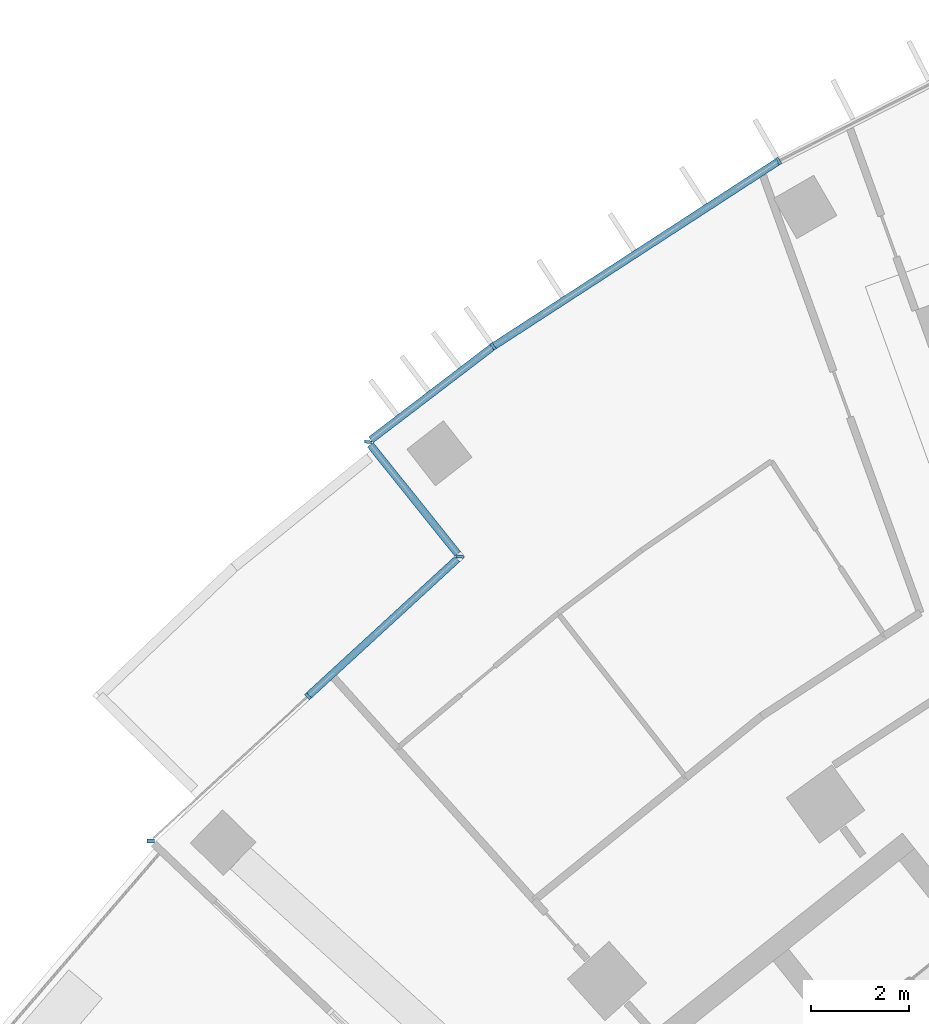
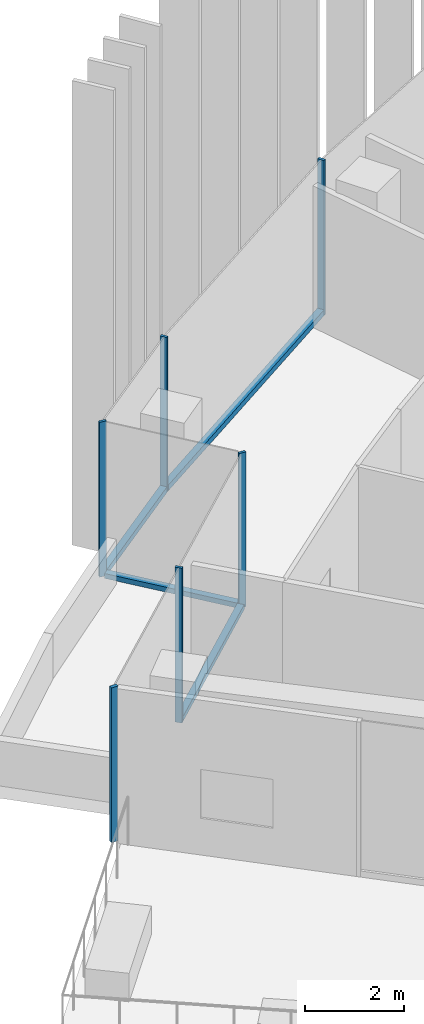
# One storey, part 3 of 20: 10 members, 4 elements without a shape of their own.
"""IFC4 building model written with IfcOpenShell, lengths in metres."""

from ifc_helpers import new_model, si_unit, direction, frame, origin, origin_2d, place, context, subcontext, project, spatial, rectangle, extrude, material, layer, layer_set, material_profile, profile_set, type_object, element, aggregate, save


model = new_model("IFC4")

# Units and contexts
model_context = context("Model", 3, precision=1e-05, world=origin(), true_north=direction((0.0, 1.0)))
body_context = subcontext(model_context, "Body", "Model", "MODEL_VIEW")
ifc_project = project(units=[si_unit("LENGTHUNIT", "METRE"), si_unit("AREAUNIT", "SQUARE_METRE"), si_unit("VOLUMEUNIT", "CUBIC_METRE"), si_unit("PLANEANGLEUNIT", "RADIAN"), si_unit("MASSUNIT", "GRAM", prefix="KILO")], contexts=[model_context])

# Site, building, storey
site_placement = place(None, origin())
site = spatial("IfcSite", under=ifc_project, at=site_placement, CompositionType="ELEMENT")
building_placement = place(site_placement, origin())
building = spatial("IfcBuilding", under=site, at=building_placement, Name="Stone Belt Terrace Tower", CompositionType="ELEMENT")
storey_placement = place(building_placement, frame((0.0, 0.0, 201.0)))
storey = spatial("IfcBuildingStorey", under=building, at=storey_placement, Name="L48", CompositionType="ELEMENT", Elevation=201.0)

# Curtain wall, members
ifc_material = material(Name="Aluminium 6063-T6 anodised frame", Category="aluminium")
ifc_layer_1 = layer(ifc_material, 0.14990234375)
ifc_layer_set_1 = layer_set([ifc_layer_1], Name="CW-A unitised convex-face curtain wall")
curtain_wall_type_1 = type_object("IfcCurtainWallType", Name="CW-A unitised convex-face curtain wall", PredefinedType="NOTDEFINED", material=ifc_layer_set_1)
curtain_wall_1_placement = place(storey_placement, origin())
curtain_wall_1 = element("IfcCurtainWall", 1, at=curtain_wall_1_placement, inside=storey, type_object=curtain_wall_type_1, Name="CW-A convex face L48", PredefinedType="NOTDEFINED")
ifc_material_profile_1 = material_profile(ifc_material, rectangle(XDim=0.14990234375, YDim=0.06005859375, at=origin_2d()), Name="Aluminium 6063-T6 60x150")
ifc_profile_set_1 = profile_set([ifc_material_profile_1], Name="Aluminium 6063-T6 anodised frame")
member_type_1 = type_object("IfcMemberType", Name="CW-A mullion 60 x 150", PredefinedType="MULLION", material=ifc_profile_set_1)
member_1_placement = place(storey_placement, frame((-33.28759765625, 57.65576171875, 0.0), z_axis=(0.0, 0.0, 1.0), x_axis=(0.5, -0.866025403784, 0.0)))
member_1 = element("IfcMember", 2, at=member_1_placement, type_object=member_type_1, Name="CW-A mullion 14", PredefinedType="MULLION", context=body_context, shape_type="SweptSolid", body=[
    extrude(rectangle(XDim=0.14990234375, YDim=0.06005859375, at=origin_2d()), origin(), (0.0, 0.0, 1.0), 3.800048828125),
])
member_2_placement = place(storey_placement, frame((-39.130859375, 53.861083984375, 0.0), z_axis=(0.0, 0.0, 1.0), x_axis=(0.576101937282, -0.81737785501, 0.0)))
member_2 = element("IfcMember", 3, at=member_2_placement, type_object=member_type_1, Name="CW-A mullion 15", PredefinedType="MULLION", context=body_context, shape_type="SweptSolid", body=[
    extrude(rectangle(XDim=0.14990234375, YDim=0.06005859375, at=origin_2d()), origin(), (0.0, 0.0, 1.0), 3.800048828125),
])
ifc_material_profile_2 = material_profile(ifc_material, rectangle(XDim=0.14990234375, YDim=0.139892578125, at=origin_2d()), Name="Aluminium 6063-T6 150x140")
ifc_profile_set_2 = profile_set([ifc_material_profile_2], Name="Aluminium 6063-T6 anodised frame")
member_type_2 = type_object("IfcMemberType", Name="CW-A transom 140 x 150", PredefinedType="USERDEFINED", material=ifc_profile_set_2)
member_3_placement = place(storey_placement, frame((-33.31591796875, 57.63720703125, 0.070068359375), z_axis=(-0.83868440714, -0.544617723931, 0.0), x_axis=(0.544617723931, -0.83868440714, 0.0)))
member_3 = element("IfcMember", 4, at=member_3_placement, type_object=member_type_2, Name="CW-A transom 14.1", ObjectType="TRANSOM", PredefinedType="USERDEFINED", context=body_context, shape_type="SweptSolid", body=[
    extrude(rectangle(XDim=0.14990234375, YDim=0.139892578125, at=origin_2d()), origin(), (0.0, 0.0, 1.0), 6.90087890625),
])
member_4_placement = place(storey_placement, frame((-39.156982421875, 53.841064453125, 0.070068359375), z_axis=(-0.794929356571, -0.606702001036, 0.0), x_axis=(0.606702001036, -0.794929356571, 0.0)))
member_4 = element("IfcMember", 5, at=member_4_placement, type_object=member_type_2, Name="CW-A transom 15.1", ObjectType="TRANSOM", PredefinedType="USERDEFINED", context=body_context, shape_type="SweptSolid", body=[
    extrude(rectangle(XDim=0.14990234375, YDim=0.139892578125, at=origin_2d()), origin(), (0.0, 0.0, 1.0), 3.1142578125),
])
aggregate(curtain_wall_1, [member_1, member_2, member_3, member_4])

# Curtain wall, member
ifc_layer_2 = layer(ifc_material, 0.14990234375)
ifc_layer_set_2 = layer_set([ifc_layer_2], Name="CW-C stick curtain wall, horn ends and notches")
curtain_wall_type_2 = type_object("IfcCurtainWallType", Name="CW-C stick curtain wall, horn ends and notches", PredefinedType="NOTDEFINED", material=ifc_layer_set_2)
curtain_wall_2_placement = place(storey_placement, origin())
curtain_wall_2 = element("IfcCurtainWall", 6, at=curtain_wall_2_placement, inside=storey, type_object=curtain_wall_type_2, Name="CW-C notch face L48", PredefinedType="NOTDEFINED")
ifc_material_profile_3 = material_profile(ifc_material, rectangle(XDim=0.14990234375, YDim=0.06005859375, at=origin_2d()), Name="Aluminium 6063-T6 60x150")
ifc_profile_set_3 = profile_set([ifc_material_profile_3], Name="Aluminium 6063-T6 anodised frame")
member_type_3 = type_object("IfcMemberType", Name="CW-C mullion 60 x 150", PredefinedType="MULLION", material=ifc_profile_set_3)
member_5_placement = place(storey_placement, frame((-41.69189453125, 51.90625, 0.0), z_axis=(0.0, 0.0, 1.0), x_axis=(0.992610915528, -0.121340720183, 0.0)))
member_5 = element("IfcMember", 7, at=member_5_placement, type_object=member_type_3, Name="CW-C mullion 1", PredefinedType="MULLION", context=body_context, shape_type="SweptSolid", body=[
    extrude(rectangle(XDim=0.14990234375, YDim=0.06005859375, at=origin_2d()), origin(), (0.0, 0.0, 1.0), 3.800048828125),
])

# Curtain wall, members
curtain_wall_3_placement = place(storey_placement, origin())
curtain_wall_3 = element("IfcCurtainWall", 8, at=curtain_wall_3_placement, inside=storey, type_object=curtain_wall_type_2, Name="CW-C notch face L48", PredefinedType="NOTDEFINED")
member_6_placement = place(storey_placement, frame((-39.8115234375, 49.56005859375, 0.0), z_axis=(0.0, 0.0, 1.0), x_axis=(0.99711393405, -0.07591971103, 0.0)))
member_6 = element("IfcMember", 9, at=member_6_placement, type_object=member_type_3, Name="CW-C mullion 1", PredefinedType="MULLION", context=body_context, shape_type="SweptSolid", body=[
    extrude(rectangle(XDim=0.14990234375, YDim=0.06005859375, at=origin_2d()), origin(), (0.0, 0.0, 1.0), 3.800048828125),
])
member_7_placement = place(storey_placement, frame((-42.92138671875, 46.701904296875, 0.0), z_axis=(0.0, 0.0, 1.0), x_axis=(0.676676945985, -0.736280049148, 0.0)))
member_7 = element("IfcMember", 10, at=member_7_placement, type_object=member_type_3, Name="CW-C mullion 2", PredefinedType="MULLION", context=body_context, shape_type="SweptSolid", body=[
    extrude(rectangle(XDim=0.14990234375, YDim=0.06005859375, at=origin_2d()), origin(), (0.0, 0.0, 1.0), 3.800048828125),
])

# Member
ifc_material_profile_4 = material_profile(ifc_material, rectangle(XDim=0.14990234375, YDim=0.1201171875, at=origin_2d()), Name="Aluminium 6063-T6 150x120")
ifc_profile_set_4 = profile_set([ifc_material_profile_4], Name="Aluminium 6063-T6 anodised frame")
member_type_4 = type_object("IfcMemberType", Name="CW-C transom 120 x 150", PredefinedType="USERDEFINED", material=ifc_profile_set_4)
member_8_placement = place(storey_placement, frame((-41.645263671875, 51.84814453125, 0.06005859375), z_axis=(0.625350914086, -0.780343664197, 0.0), x_axis=(0.780343664197, 0.625350914086, 0.0)))
member_8 = element("IfcMember", 11, at=member_8_placement, type_object=member_type_4, Name="CW-C transom 1.1", ObjectType="TRANSOM", PredefinedType="USERDEFINED", context=body_context, shape_type="SweptSolid", body=[
    extrude(rectangle(XDim=0.14990234375, YDim=0.1201171875, at=origin_2d()), origin(), (0.0, 0.0, 1.0), 2.85888671875),
])

aggregate(curtain_wall_2, [member_5, member_8])

member_9_placement = place(storey_placement, frame((-39.865478515625, 49.510498046875, 0.06005859375), z_axis=(-0.736309968185, -0.676644390172, 0.0), x_axis=(0.676644390172, -0.736309968185, 0.0)))
member_9 = element("IfcMember", 12, at=member_9_placement, type_object=member_type_4, Name="CW-C transom 1.1", ObjectType="TRANSOM", PredefinedType="USERDEFINED", context=body_context, shape_type="SweptSolid", body=[
    extrude(rectangle(XDim=0.14990234375, YDim=0.1201171875, at=origin_2d()), origin(), (0.0, 0.0, 1.0), 4.120361328125),
])

aggregate(curtain_wall_3, [member_6, member_7, member_9])

# Curtain wall, member
ifc_layer_3 = layer(ifc_material, 0.14990234375)
ifc_layer_set_3 = layer_set([ifc_layer_3], Name="CW-E conservatory and damper hall curtain wall")
curtain_wall_type_3 = type_object("IfcCurtainWallType", Name="CW-E conservatory and damper hall curtain wall", PredefinedType="NOTDEFINED", material=ifc_layer_set_3)
curtain_wall_4_placement = place(storey_placement, origin())
curtain_wall_4 = element("IfcCurtainWall", 13, at=curtain_wall_4_placement, inside=storey, type_object=curtain_wall_type_3, Name="CW-E end face L48", PredefinedType="NOTDEFINED")
ifc_material_profile_5 = material_profile(ifc_material, rectangle(XDim=0.14990234375, YDim=0.080078125, at=origin_2d()), Name="Aluminium 6063-T6 80x150")
ifc_profile_set_5 = profile_set([ifc_material_profile_5], Name="Aluminium 6063-T6 anodised frame")
member_type_5 = type_object("IfcMemberType", Name="CW-E mullion 80 x 150", PredefinedType="MULLION", material=ifc_profile_set_5)
member_10_placement = place(storey_placement, frame((-46.141845703125, 43.7421875, 0.0), z_axis=(0.0, 0.0, 1.0), x_axis=(0.999965358551, -0.008323562836, 0.0)))
member_10 = element("IfcMember", 14, at=member_10_placement, type_object=member_type_5, Name="CW-E mullion 1", PredefinedType="MULLION", context=body_context, shape_type="SweptSolid", body=[
    extrude(rectangle(XDim=0.14990234375, YDim=0.080078125, at=origin_2d()), origin(), (0.0, 0.0, 1.0), 3.800048828125),
])
aggregate(curtain_wall_4, [member_10])

save(model, "model.ifc")
